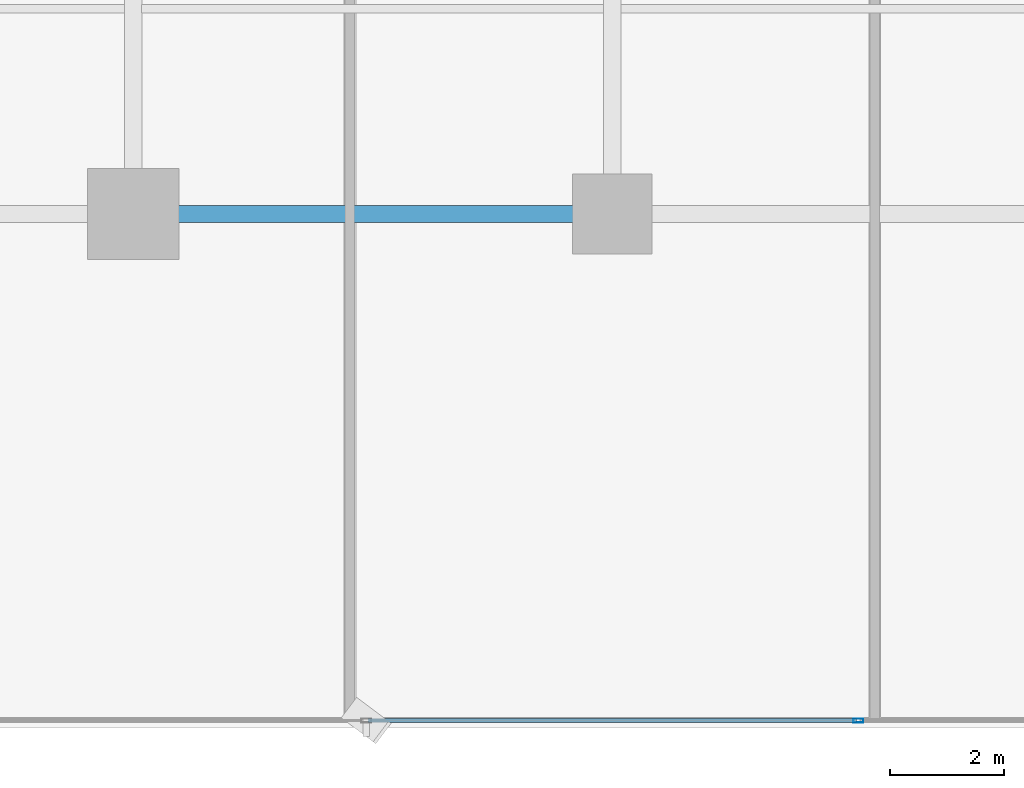
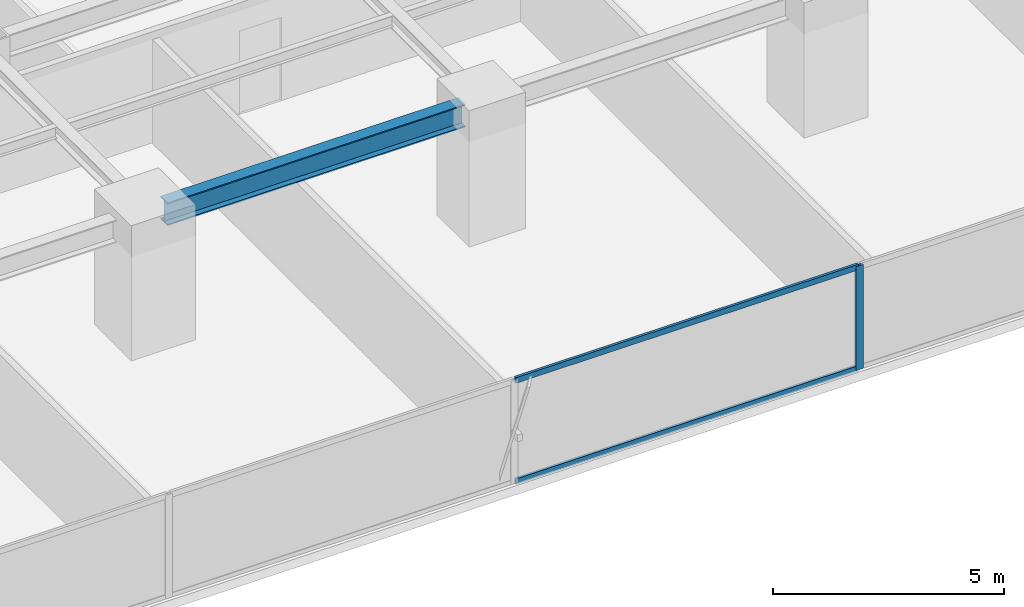
# One storey, part 5 of 34: 3 members, 1 beam, 1 element without a shape of its own.
"""IFC4 building model written with IfcOpenShell, lengths in metres."""

from ifc_helpers import new_model, si_unit, direction, frame, origin, origin_2d, place, context, subcontext, project, spatial, hollow_rectangle, i_section, extrude, source, transform, mapped, material, layer, layer_set, material_profile, profile_set, type_object, element, aggregate, save


model = new_model("IFC4")

# Units and contexts
model_context = context("Model", 3, precision=1e-05, world=origin(), true_north=direction((0.0, 1.0)))
body_context = subcontext(model_context, "Body", "Model", "MODEL_VIEW")
ifc_project = project(units=[si_unit("LENGTHUNIT", "METRE"), si_unit("AREAUNIT", "SQUARE_METRE"), si_unit("VOLUMEUNIT", "CUBIC_METRE"), si_unit("PLANEANGLEUNIT", "RADIAN"), si_unit("MASSUNIT", "GRAM", prefix="KILO")], contexts=[model_context])

# Site, building, storey
site_placement = place(None, origin())
site = spatial("IfcSite", under=ifc_project, at=site_placement, CompositionType="ELEMENT")
building_placement = place(site_placement, origin())
building = spatial("IfcBuilding", under=site, at=building_placement, Name="Sumidabori Civic Tower", CompositionType="ELEMENT")
storey_placement = place(building_placement, frame((0.0, 0.0, 56.0)))
storey = spatial("IfcBuildingStorey", under=building, at=storey_placement, Name="L14", CompositionType="ELEMENT", Elevation=56.0)

# Beam
ifc_material_1 = material(Name="Steel SN490", Category="steel")
ifc_material_profile_1 = material_profile(ifc_material_1, i_section(OverallWidth=0.300048828125, OverallDepth=0.60009765625, WebThickness=0.015380859375, FlangeThickness=0.030029296875, at=origin_2d()), Name="HE 600 B")
ifc_profile_set_1 = profile_set([ifc_material_profile_1], Name="Steel SN490")
beam_type = type_object("IfcBeamType", Name="BM-GIRD-600", PredefinedType="BEAM", material=ifc_profile_set_1)
shared_shape_1 = source(origin(), body_context, "Body", "SweptSolid", [
    extrude(i_section(OverallWidth=0.300048828125, OverallDepth=0.60009765625, WebThickness=0.015380859375, FlangeThickness=0.030029296875, at=origin_2d()), origin(), (0.0, 0.0, 1.0), 7.43994140625),
])
beam_placement = place(storey_placement, frame((-7.919921875, -18.0, 3.06005859375), z_axis=(1.0, 0.0, 0.0), x_axis=(0.0, 1.0, 0.0)))
element("IfcBeam", 1, at=beam_placement, inside=storey, type_object=beam_type, Name="Primary Girder L14 GX-03", PredefinedType="BEAM", context=body_context, shape_type="MappedRepresentation", body=[
    mapped(shared_shape_1, transform((0.0, 0.0, 0.0), x_axis=(1.0, 0.0, 0.0), y_axis=(0.0, 1.0, 0.0), z_axis=(0.0, 0.0, 1.0), scale=1.0)),
])

# Curtain wall, members
ifc_material_2 = material(Name="Anodised Bronze Aluminium AW-6063-T6", Category="aluminium")
ifc_layer = layer(ifc_material_2, 0.179931640625, Name="Anodised Bronze Aluminium AW-6063-T6")
ifc_layer_set = layer_set([ifc_layer], Name="Anodised Bronze Aluminium AW-6063-T6")
curtain_wall_type = type_object("IfcCurtainWallType", Name="CW-SYS-2", PredefinedType="NOTDEFINED", material=ifc_layer_set)
curtain_wall_placement = place(storey_placement, origin())
curtain_wall = element("IfcCurtainWall", 2, at=curtain_wall_placement, inside=storey, type_object=curtain_wall_type, Name="Curtain Wall CW:L14:R01", PredefinedType="NOTDEFINED")
ifc_material_profile_2 = material_profile(ifc_material_2, hollow_rectangle(XDim=0.070068359375, YDim=0.179931640625, WallThickness=0.006103515625, at=origin_2d()), Name="ALU MULLION 180x70")
ifc_profile_set_2 = profile_set([ifc_material_profile_2], Name="Anodised Bronze Aluminium AW-6063-T6")
member_type_1 = type_object("IfcMemberType", Name="CW-MUL-180", PredefinedType="MULLION", material=ifc_profile_set_2)
shared_shape_2 = source(origin(), body_context, "Body", "SweptSolid", [
    extrude(hollow_rectangle(XDim=0.070068359375, YDim=0.179931640625, WallThickness=0.006103515625, at=origin_2d()), origin(), (0.0, 0.0, 1.0), 2.739990234375),
])
member_1_placement = place(storey_placement, frame((4.31396484375, -26.8798828125, 0.0), z_axis=(0.0, 0.0, 1.0), x_axis=(0.0, 1.0, 0.0)))
member_1 = element("IfcMember", 3, at=member_1_placement, type_object=member_type_1, Name="CW-2 mullion 4", PredefinedType="MULLION", context=body_context, shape_type="MappedRepresentation", body=[
    mapped(shared_shape_2, transform((0.0, 0.0, 0.0), x_axis=(1.0, 0.0, 0.0), y_axis=(0.0, 1.0, 0.0), z_axis=(0.0, 0.0, 1.0), scale=1.0)),
])
ifc_material_profile_3 = material_profile(ifc_material_2, hollow_rectangle(XDim=0.06494140625, YDim=0.14990234375, WallThickness=0.0048828125, at=origin_2d()), Name="ALU TRANSOM 150x65")
ifc_profile_set_3 = profile_set([ifc_material_profile_3], Name="Anodised Bronze Aluminium AW-6063-T6")
member_type_2 = type_object("IfcMemberType", Name="CW-TRN-150", PredefinedType="USERDEFINED", material=ifc_profile_set_3)
shared_shape_3 = source(origin(), body_context, "Body", "SweptSolid", [
    extrude(hollow_rectangle(XDim=0.06494140625, YDim=0.14990234375, WallThickness=0.0048828125, at=origin_2d()), origin(), (0.0, 0.0, 1.0), 8.55810546875),
])
member_2_placement = place(storey_placement, frame((-4.279052734375, -26.8798828125, 0.032470703125), z_axis=(1.0, 0.0, 0.0), x_axis=(0.0, 1.0, 0.0)))
member_2 = element("IfcMember", 4, at=member_2_placement, type_object=member_type_2, Name="CW-2 transom 3.1", ObjectType="TRANSOM", PredefinedType="USERDEFINED", context=body_context, shape_type="MappedRepresentation", body=[
    mapped(shared_shape_3, transform((0.0, 0.0, 0.0), x_axis=(1.0, 0.0, 0.0), y_axis=(0.0, 1.0, 0.0), z_axis=(0.0, 0.0, 1.0), scale=1.0)),
])
member_3_placement = place(storey_placement, frame((-4.279052734375, -26.8798828125, 2.70751953125), z_axis=(1.0, 0.0, 0.0), x_axis=(0.0, 1.0, 0.0)))
member_3 = element("IfcMember", 5, at=member_3_placement, type_object=member_type_2, Name="CW-2 transom 3.2", ObjectType="TRANSOM", PredefinedType="USERDEFINED", context=body_context, shape_type="MappedRepresentation", body=[
    mapped(shared_shape_3, transform((0.0, 0.0, 0.0), x_axis=(1.0, 0.0, 0.0), y_axis=(0.0, 1.0, 0.0), z_axis=(0.0, 0.0, 1.0), scale=1.0)),
])
aggregate(curtain_wall, [member_1, member_2, member_3])

save(model, "model.ifc")
